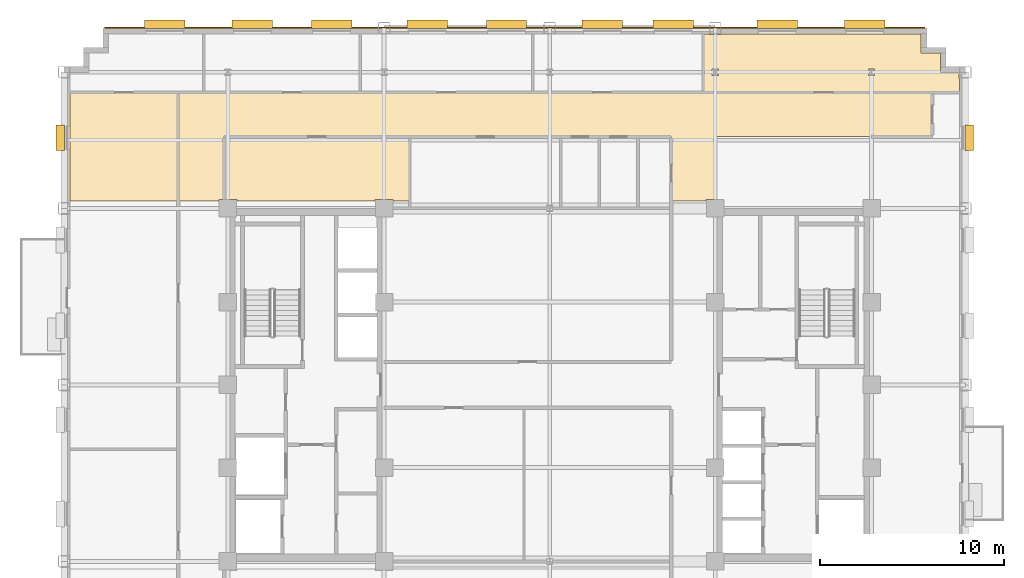
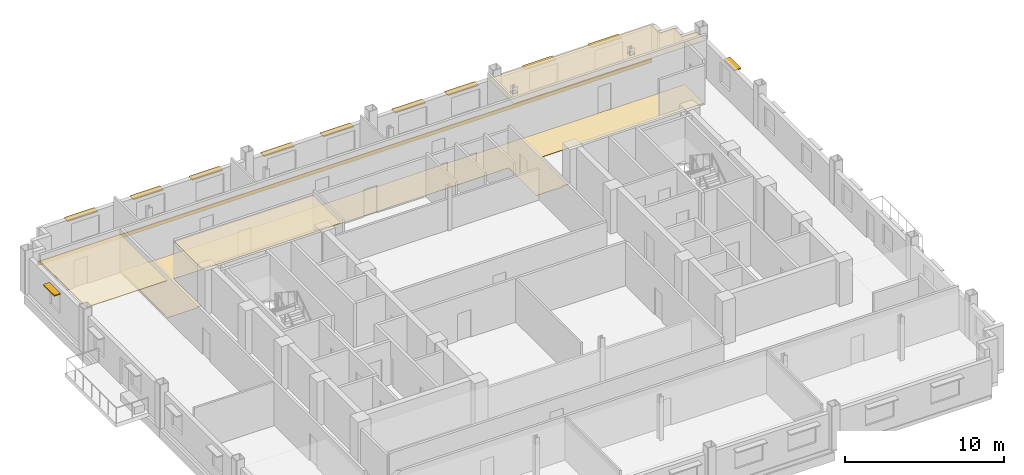
# One storey, part 14 of 14: 11 shading devices, 5 coverings.
"""IFC4 building model written with IfcOpenShell, lengths in metres."""

from ifc_helpers import new_model, si_unit, direction, frame, origin, origin_2d, place, context, subcontext, project, spatial, polyline, rectangle, outline, extrude, source, transform, mapped, material, layer, layer_set, type_object, type_shapes, element, save


model = new_model("IFC4")

# Units and contexts
model_context = context("Model", 3, precision=1e-05, world=origin(), true_north=direction((0.0, 1.0)))
body_context = subcontext(model_context, "Body", "Model", "MODEL_VIEW")
ifc_project = project(units=[si_unit("LENGTHUNIT", "METRE"), si_unit("AREAUNIT", "SQUARE_METRE"), si_unit("VOLUMEUNIT", "CUBIC_METRE"), si_unit("PLANEANGLEUNIT", "RADIAN"), si_unit("MASSUNIT", "GRAM", prefix="KILO")], contexts=[model_context])

# Site, building, storey
site_placement = place(None, origin())
site = spatial("IfcSite", under=ifc_project, at=site_placement, CompositionType="ELEMENT")
building_placement = place(site_placement, origin())
building = spatial("IfcBuilding", under=site, at=building_placement, Name="Nuvemarco Arch Tower", CompositionType="ELEMENT")
storey_placement = place(building_placement, frame((0.0, 0.0, 171.300048828125)))
storey = spatial("IfcBuildingStorey", under=building, at=storey_placement, Name="L45", CompositionType="ELEMENT", Elevation=171.300048828125)

# Coverings
ifc_material_1 = material(Name="Mineral acoustic ceiling tile")
ifc_layer_1 = layer(ifc_material_1, 0.0400390625, Name="COV-ACOUSTIC-CLG")
ifc_layer_set_1 = layer_set([ifc_layer_1], Name="Mineral acoustic ceiling tile")
covering_type_1 = type_object("IfcCoveringType", Name="COV-ACOUSTIC-CLG", PredefinedType="CEILING", material=ifc_layer_set_1)
covering_1_placement = place(storey_placement, frame((0.0, 0.0, 2.849853515625)))
element("IfcCovering", 1, at=covering_1_placement, inside=storey, type_object=covering_type_1, Name="L45 suspended acoustic ceiling 3", PredefinedType="CEILING", context=body_context, shape_type="SweptSolid", body=[
    extrude(outline(polyline([(-26.090087890625, 15.89990234375), (-20.199951171875, 15.89990234375), (-20.199951171875, 13.5), (-20.199951171875, 10.0), (-26.090087890625, 10.0), (-26.090087890625, 15.89990234375)])), origin(), (0.0, 0.0, 1.0), 0.0400390625),
])
covering_2_placement = place(storey_placement, frame((0.0, 0.0, 2.849853515625)))
element("IfcCovering", 2, at=covering_2_placement, inside=storey, type_object=covering_type_1, Name="L45 suspended acoustic ceiling 8", PredefinedType="CEILING", context=body_context, shape_type="SweptSolid", body=[
    extrude(outline(polyline([(22.260009765625, 16.989990234375), (22.260009765625, 16.659912109375), (22.2900390625, 16.659912109375), (22.2900390625, 15.89990234375), (20.800048828125, 15.89990234375), (9.0, 15.89990234375), (8.35009765625, 15.89990234375), (8.35009765625, 19.090087890625), (8.659912109375, 19.090087890625), (8.659912109375, 19.06005859375), (9.340087890625, 19.06005859375), (9.340087890625, 19.090087890625), (20.18994140625, 19.090087890625), (20.18994140625, 18.0400390625), (21.239990234375, 18.0400390625), (21.239990234375, 16.989990234375), (22.260009765625, 16.989990234375)]), holes=[polyline([(9.169921875, 17.169921875), (8.830078125, 17.169921875), (8.830078125, 16.830078125), (9.169921875, 16.830078125), (9.169921875, 17.169921875)]), polyline([(17.669921875, 16.830078125), (17.669921875, 17.169921875), (17.330078125, 17.169921875), (17.330078125, 16.830078125), (17.669921875, 16.830078125)])]), origin(), (0.0, 0.0, 1.0), 0.0400390625),
])
covering_3_placement = place(storey_placement, frame((0.0, 0.0, 2.849853515625)))
element("IfcCovering", 3, at=covering_3_placement, inside=storey, type_object=covering_type_1, Name="L45 suspended acoustic ceiling 9", PredefinedType="CEILING", context=body_context, shape_type="SweptSolid", body=[
    extrude(outline(polyline([(-7.60009765625, 13.5), (-7.60009765625, 10.0), (-8.510009765625, 10.0), (-8.510009765625, 10.090087890625), (-9.489990234375, 10.090087890625), (-9.489990234375, 10.0), (-17.010009765625, 10.0), (-17.010009765625, 10.090087890625), (-17.699951171875, 10.090087890625), (-17.699951171875, 13.5), (-7.60009765625, 13.5)])), origin(), (0.0, 0.0, 1.0), 0.0400390625),
])
ifc_material_2 = material(Name="Polished granite terrazzostone flooring", Category="masonry")
ifc_layer_2 = layer(ifc_material_2, 0.02001953125, Name="COV-LOBBY-FLR")
ifc_layer_set_2 = layer_set([ifc_layer_2], Name="Polished granite terrazzostone flooring")
covering_type_2 = type_object("IfcCoveringType", Name="COV-LOBBY-FLR", PredefinedType="FLOORING", material=ifc_layer_set_2)
covering_4_placement = place(storey_placement, origin())
element("IfcCovering", 4, at=covering_4_placement, inside=storey, type_object=covering_type_2, Name="L45 polished terrazzo lobby flooring", PredefinedType="FLOORING", context=body_context, shape_type="SweptSolid", body=[
    extrude(outline(polyline([(-20.199951171875, 13.5), (-20.199951171875, 15.89990234375), (-17.699951171875, 15.89990234375), (6.60009765625, 15.89990234375), (9.0, 15.89990234375), (20.800048828125, 15.89990234375), (20.800048828125, 13.5), (9.0, 13.5), (9.0, 10.090087890625), (8.510009765625, 10.090087890625), (8.510009765625, 10.0), (6.60009765625, 10.0), (6.60009765625, 13.5), (-17.699951171875, 13.5), (-17.699951171875, 10.090087890625), (-17.989990234375, 10.090087890625), (-17.989990234375, 10.0), (-20.199951171875, 10.0), (-20.199951171875, 13.5)])), origin(), (0.0, 0.0, 1.0), 0.02001953125),
])

# Shading devices
ifc_material_3 = material(Name="Anodised aluminium 6063-T6", Category="aluminium")
shading_device_type_1 = type_object("IfcShadingDeviceType", Name="SHD-BRISE-SOLEIL", PredefinedType="USERDEFINED", material=ifc_material_3)
shared_shape_1 = source(origin(), body_context, "Body", "SweptSolid", [
    extrude(rectangle(XDim=2.199951171875, YDim=0.449951171875, at=origin_2d()), origin(), (0.0, 0.0, 1.0), 0.080078125),
])
type_shapes(shading_device_type_1, [shared_shape_1])
for number, where, z_axis, x_axis, name in (
    (5, (-20.922119140625, 19.614990234375, 2.324951171875), (0.0, 0.0, 1.0), (1.0, 0.0, 0.0), "L45 horizontal brise-soleil sunshade"),
    (6, (-16.166748046875, 19.614990234375, 2.324951171875), (0.0, 0.0, 1.0), (1.0, 0.0, 0.0), "L45 horizontal brise-soleil sunshade"),
    (7, (-11.861083984375, 19.614990234375, 2.324951171875), (0.0, 0.0, 1.0), (1.0, 0.0, 0.0), "L45 horizontal brise-soleil sunshade"),
    (8, (-6.655517578125, 19.614990234375, 2.324951171875), (0.0, 0.0, 1.0), (1.0, 0.0, 0.0), "L45 horizontal brise-soleil sunshade"),
    (9, (-2.35009765625, 19.614990234375, 2.324951171875), (0.0, 0.0, 1.0), (1.0, 0.0, 0.0), "L45 horizontal brise-soleil sunshade"),
    (10, (2.855712890625, 19.614990234375, 2.324951171875), (0.0, 0.0, 1.0), (1.0, 0.0, 0.0), "L45 horizontal brise-soleil sunshade"),
    (11, (6.711181640625, 19.614990234375, 2.324951171875), (0.0, 0.0, 1.0), (1.0, 0.0, 0.0), "L45 horizontal brise-soleil sunshade"),
    (12, (12.36669921875, 19.614990234375, 2.324951171875), (0.0, 0.0, 1.0), (1.0, 0.0, 0.0), "L45 horizontal brise-soleil sunshade"),
    (13, (17.122314453125, 19.614990234375, 2.324951171875), (0.0, 0.0, 1.0), (1.0, 0.0, 0.0), "L45 horizontal brise-soleil sunshade"),
):
    element("IfcShadingDevice", number, at=place(storey_placement, frame(where, z_axis=z_axis, x_axis=x_axis)), inside=storey, type_object=shading_device_type_1, Name=name, ObjectType="SUNSHADE", PredefinedType="USERDEFINED", context=body_context, shape_type="MappedRepresentation", body=[
        mapped(shared_shape_1, transform((0.0, 0.0, 0.0), scale=1.0)),
    ])
shading_device_type_2 = type_object("IfcShadingDeviceType", Name="SHD-BRISE-NARROW", PredefinedType="USERDEFINED", material=ifc_material_3)
shared_shape_2 = source(origin(), body_context, "Body", "SweptSolid", [
    extrude(rectangle(XDim=1.39990234375, YDim=0.449951171875, at=origin_2d()), origin(), (0.0, 0.0, 1.0), 0.080078125),
])
type_shapes(shading_device_type_2, [shared_shape_2])
for number, where, z_axis, x_axis, name in (
    (14, (22.81494140625, 13.437744140625, 2.324951171875), (0.0, 0.0, 1.0), (0.0, 1.0, 0.0), "L45 horizontal brise-soleil sunshade"),
    (15, (-26.614990234375, 13.437744140625, 2.324951171875), (0.0, 0.0, 1.0), (0.0, 1.0, 0.0), "L45 horizontal brise-soleil sunshade"),
):
    element("IfcShadingDevice", number, at=place(storey_placement, frame(where, z_axis=z_axis, x_axis=x_axis)), inside=storey, type_object=shading_device_type_2, Name=name, ObjectType="SUNSHADE", PredefinedType="USERDEFINED", context=body_context, shape_type="MappedRepresentation", body=[
        mapped(shared_shape_2, transform((0.0, 0.0, 0.0), scale=1.0)),
    ])

# Covering
ifc_material_4 = material(Name="Precast concrete C45/55", Category="concrete")
ifc_layer_3 = layer(ifc_material_4, 0.06005859375, Name="COV-SPANDREL-CLAD")
ifc_layer_set_3 = layer_set([ifc_layer_3], Name="Precast concrete C45/55")
covering_type_3 = type_object("IfcCoveringType", Name="COV-SPANDREL-CLAD", PredefinedType="CLADDING", material=ifc_layer_set_3)
shared_shape_3 = source(origin(), body_context, "Body", "SweptSolid", [
    extrude(rectangle(XDim=44.60009765625, YDim=0.06005859375, at=origin_2d()), origin(), (0.0, 0.0, 1.0), 0.280029296875),
])
type_shapes(covering_type_3, [shared_shape_3])
covering_5_placement = place(storey_placement, frame((-1.89990234375, 19.428955078125, -0.2802734375), z_axis=(0.0, 0.0, 1.0), x_axis=(1.0, 0.0, 0.0)))
element("IfcCovering", 16, at=covering_5_placement, inside=storey, type_object=covering_type_3, Name="L45 precast spandrel edge cladding north", PredefinedType="CLADDING", context=body_context, shape_type="MappedRepresentation", body=[
    mapped(shared_shape_3, transform((0.0, 0.0, 0.0), scale=1.0)),
])

save(model, "model.ifc")
